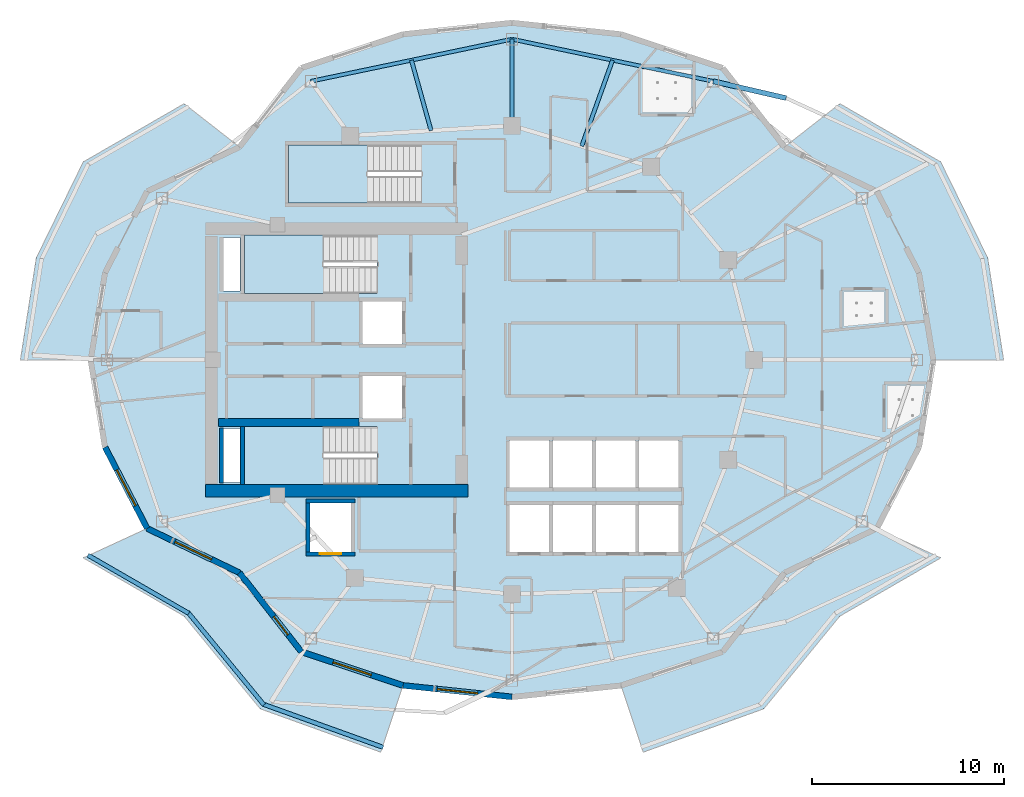
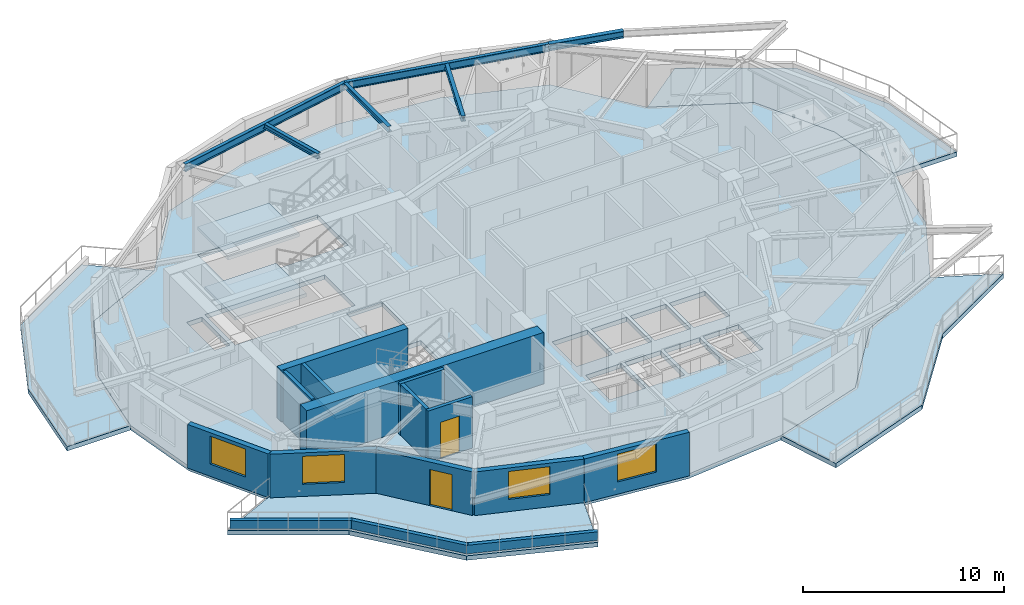
# One storey, part 2 of 10: 15 walls, 8 slabs, 6 beams, 4 windows, 2 doors, 6 openings, 3 elements without a shape of their own.
"""IFC4 building model written with IfcOpenShell, lengths in metres."""

from ifc_helpers import new_model, si_unit, direction, frame, frame_2d, origin, origin_2d, place, context, subcontext, project, spatial, polyline, rectangle, i_section, outline, extrude, material, layer, layer_set, material_profile, profile_set, type_object, element, fill, aggregate, save


model = new_model("IFC4")

# Units and contexts
model_context = context("Model", 3, precision=1e-05, world=origin(), true_north=direction((0.0, 1.0)))
body_context = subcontext(model_context, "Body", "Model", "MODEL_VIEW")
ifc_project = project(units=[si_unit("LENGTHUNIT", "METRE"), si_unit("AREAUNIT", "SQUARE_METRE"), si_unit("VOLUMEUNIT", "CUBIC_METRE"), si_unit("PLANEANGLEUNIT", "RADIAN"), si_unit("MASSUNIT", "GRAM", prefix="KILO")], contexts=[model_context])

# Site, building, storey
site_placement = place(None, origin())
site = spatial("IfcSite", under=ifc_project, at=site_placement, CompositionType="ELEMENT")
building_placement = place(site_placement, origin())
building = spatial("IfcBuilding", under=site, at=building_placement, Name="Kolvaren Gate Tower and Convention Centre", CompositionType="ELEMENT")
storey_placement = place(building_placement, frame((0.0, 0.0, 146.10009765625)))
storey = spatial("IfcBuildingStorey", under=building, at=storey_placement, Name="L37", CompositionType="ELEMENT", Elevation=146.10009765625)

# Beams
ifc_material_1 = material(Name="Structural steel ASTM A992 Grade 345 MPa", Category="steel")
ifc_material_profile_1 = material_profile(ifc_material_1, i_section(OverallWidth=0.260009765625, OverallDepth=0.419921875, WebThickness=0.013427734375, FlangeThickness=0.0224609375, at=origin_2d()), Name="W410X132")
ifc_profile_set_1 = profile_set([ifc_material_profile_1], Name="Structural steel ASTM A992 Grade 345 MPa")
beam_type_1 = type_object("IfcBeamType", Name="STR-BM-W410X132", PredefinedType="BEAM", material=ifc_profile_set_1)
beam_1_placement = place(storey_placement, frame((40.596435546875, 41.509521484375, 2.92041015625), z_axis=(0.974390140605, -0.224864078706, 0.0), x_axis=(0.224864078706, 0.974390140605, 0.0)))
element("IfcBeam", 1, at=beam_1_placement, inside=storey, type_object=beam_type_1, Name="Tower L38 Planted Balcony Outrigger Cantilever BC-1B", PredefinedType="BEAM", context=body_context, shape_type="SweptSolid", body=[
    extrude(i_section(OverallWidth=0.260009765625, OverallDepth=0.419921875, WebThickness=0.013427734375, FlangeThickness=0.0224609375, at=origin_2d()), origin(), (0.0, 0.0, 1.0), 3.89990234375),
])
ifc_material_profile_2 = material_profile(ifc_material_1, i_section(OverallWidth=0.205078125, OverallDepth=0.31005859375, WebThickness=0.009521484375, FlangeThickness=0.016357421875, at=origin_2d()), Name="W310X74")
ifc_profile_set_2 = profile_set([ifc_material_profile_2], Name="Structural steel ASTM A992 Grade 345 MPa")
beam_type_2 = type_object("IfcBeamType", Name="STR-JS-W310X74", PredefinedType="JOIST", material=ifc_profile_set_2)
beam_2_placement = place(storey_placement, frame((30.125, 39.199951171875, 2.974853515625), z_axis=(0.0, 1.0, 0.0), x_axis=(-1.0, 0.0, 0.0)))
element("IfcBeam", 2, at=beam_2_placement, inside=storey, type_object=beam_type_2, Name="Tower L37 Radial Floor Girder RB-04", PredefinedType="JOIST", context=body_context, shape_type="SweptSolid", body=[
    extrude(i_section(OverallWidth=0.205078125, OverallDepth=0.31005859375, WebThickness=0.009521484375, FlangeThickness=0.016357421875, at=origin_2d()), origin(), (0.0, 0.0, 1.0), 4.5),
])
beam_3_placement = place(storey_placement, frame((33.75341796875, 38.12744140625, 2.974853515625), z_axis=(0.33785426197, 0.941198436924, 0.0), x_axis=(-0.941198436924, 0.33785426197, 0.0)))
element("IfcBeam", 3, at=beam_3_placement, inside=storey, type_object=beam_type_2, Name="Tower L37 Secondary Composite Floor Joist J-03.1", PredefinedType="JOIST", context=body_context, shape_type="SweptSolid", body=[
    extrude(i_section(OverallWidth=0.205078125, OverallDepth=0.31005859375, WebThickness=0.009521484375, FlangeThickness=0.016357421875, at=origin_2d()), origin(), (0.0, 0.0, 1.0), 4.757080078125),
])
beam_4_placement = place(storey_placement, frame((25.91162109375, 38.938232421875, 2.974853515625), z_axis=(-0.26855678261, 0.963263855085, 0.0), x_axis=(-0.963263855085, -0.26855678261, 0.0)))
element("IfcBeam", 4, at=beam_4_placement, inside=storey, type_object=beam_type_2, Name="Tower L37 Secondary Composite Floor Joist J-04.1", PredefinedType="JOIST", context=body_context, shape_type="SweptSolid", body=[
    extrude(i_section(OverallWidth=0.205078125, OverallDepth=0.31005859375, WebThickness=0.009521484375, FlangeThickness=0.016357421875, at=origin_2d()), origin(), (0.0, 0.0, 1.0), 3.806396484375),
])
ifc_material_profile_3 = material_profile(ifc_material_1, i_section(OverallWidth=0.194091796875, OverallDepth=0.468994140625, WebThickness=0.0126953125, FlangeThickness=0.0205078125, at=origin_2d()), Name="W460X106")
ifc_profile_set_3 = profile_set([ifc_material_profile_3], Name="Structural steel ASTM A992 Grade 345 MPa")
beam_type_3 = type_object("IfcBeamType", Name="STR-SP-W460X106", PredefinedType="SPANDREL", material=ifc_profile_set_3)
beam_5_placement = place(storey_placement, frame((40.596435546875, 41.509521484375, 2.8955078125), z_axis=(-0.978814350133, 0.204749769168, 0.0), x_axis=(-0.204749769168, -0.978814350133, 0.0)))
element("IfcBeam", 5, at=beam_5_placement, inside=storey, type_object=beam_type_3, Name="Tower L37 Perimeter Spandrel Beam SP-03", PredefinedType="SPANDREL", context=body_context, shape_type="SweptSolid", body=[
    extrude(i_section(OverallWidth=0.194091796875, OverallDepth=0.468994140625, WebThickness=0.0126953125, FlangeThickness=0.0205078125, at=origin_2d()), origin(), (0.0, 0.0, 1.0), 10.697998046875),
])
beam_6_placement = place(storey_placement, frame((30.125, 43.699951171875, 2.8955078125), z_axis=(-0.978813393389, -0.204754342865, 0.0), x_axis=(0.204754342865, -0.978813393389, 0.0)))
element("IfcBeam", 6, at=beam_6_placement, inside=storey, type_object=beam_type_3, Name="Tower L37 Perimeter Spandrel Beam SP-04", PredefinedType="SPANDREL", context=body_context, shape_type="SweptSolid", body=[
    extrude(i_section(OverallWidth=0.194091796875, OverallDepth=0.468994140625, WebThickness=0.0126953125, FlangeThickness=0.0205078125, at=origin_2d()), origin(), (0.0, 0.0, 1.0), 10.69775390625),
])

# Slabs
ifc_material_2 = material(Name="Concrete C50/60", Category="concrete")
ifc_layer_1 = layer(ifc_material_2, 0.27001953125)
ifc_layer_set_1 = layer_set([ifc_layer_1], Name="Concrete C50/60")
slab_type_1 = type_object("IfcSlabType", Name="STR-SL-BALC-270", PredefinedType="FLOOR", material=ifc_layer_set_1)
slab_1_placement = place(storey_placement, frame((0.0, 0.0, -0.27001953125)))
element("IfcSlab", 7, at=slab_1_placement, inside=storey, type_object=slab_type_1, Name="Tower L37 Planted Balcony Terrace Slab 1 (East)", PredefinedType="FLOOR", context=body_context, shape_type="SweptSolid", body=[
    extrude(outline(polyline([(52.0625, 27.0), (51.31494140625, 31.542236328125), (49.123291015625, 35.77490234375), (44.3134765625, 38.0859375), (47.197509765625, 40.33935546875), (52.446044921875, 37.309814453125), (54.893798828125, 32.309326171875), (55.722412109375, 27.0), (52.0625, 27.0)])), origin(), (0.0, 0.0, 1.0), 0.27001953125),
])
slab_2_placement = place(storey_placement, frame((0.0, 0.0, -0.27001953125)))
element("IfcSlab", 8, at=slab_2_placement, inside=storey, type_object=slab_type_1, Name="Tower L37 Planted Balcony Terrace Slab 2 (West)", PredefinedType="FLOOR", context=body_context, shape_type="SweptSolid", body=[
    extrude(outline(polyline([(15.9365234375, 38.0859375), (11.126708984375, 35.77490234375), (8.93505859375, 31.542236328125), (8.1875, 27.0), (4.527587890625, 27.0), (5.356201171875, 32.309326171875), (7.803955078125, 37.309814453125), (13.052490234375, 40.33935546875), (15.9365234375, 38.0859375)])), origin(), (0.0, 0.0, 1.0), 0.27001953125),
])
slab_3_placement = place(storey_placement, frame((0.0, 0.0, -0.27001953125)))
element("IfcSlab", 9, at=slab_3_placement, inside=storey, type_object=slab_type_1, Name="Tower L37 Planted Balcony Terrace Slab 3 (South)", PredefinedType="FLOOR", context=body_context, shape_type="SweptSolid", body=[
    extrude(outline(polyline([(11.126708984375, 18.22509765625), (15.9365234375, 15.9140625), (19.15625, 11.80126953125), (24.447265625, 10.048095703125), (23.284912109375, 6.577392578125), (17.014404296875, 8.83349609375), (13.052490234375, 13.66064453125), (7.803955078125, 16.690185546875), (11.126708984375, 18.22509765625)])), origin(), (0.0, 0.0, 1.0), 0.27001953125),
])
slab_4_placement = place(storey_placement, frame((0.0, 0.0, -0.27001953125)))
element("IfcSlab", 10, at=slab_4_placement, inside=storey, type_object=slab_type_1, Name="Tower L37 Planted Balcony Terrace Slab 4 (South)", PredefinedType="FLOOR", context=body_context, shape_type="SweptSolid", body=[
    extrude(outline(polyline([(35.802734375, 10.048095703125), (41.09375, 11.80126953125), (44.3134765625, 15.9140625), (49.123291015625, 18.22509765625), (52.446044921875, 16.690185546875), (47.197509765625, 13.66064453125), (43.235595703125, 8.83349609375), (36.965087890625, 6.577392578125), (35.802734375, 10.048095703125)])), origin(), (0.0, 0.0, 1.0), 0.27001953125),
])
ifc_material_3 = material(Name="Concrete C40/50", Category="concrete")
ifc_layer_2 = layer(ifc_material_3, 0.27001953125)
ifc_layer_set_2 = layer_set([ifc_layer_2], Name="Concrete C40/50")
slab_type_2 = type_object("IfcSlabType", Name="STR-SL-FLR-270", PredefinedType="FLOOR", material=ifc_layer_set_2)
slab_5_placement = place(storey_placement, frame((0.0, 0.0, -0.27001953125)))
element("IfcSlab", 11, at=slab_5_placement, inside=storey, type_object=slab_type_2, Name="Tower L37 Structural Floor Slab", PredefinedType="FLOOR", context=body_context, shape_type="SweptSolid", body=[
    extrude(outline(polyline([(52.0625, 27.0), (51.31494140625, 31.542236328125), (49.123291015625, 35.77490234375), (44.3134765625, 38.0859375), (41.09375, 42.19873046875), (35.802734375, 43.951904296875), (30.125, 44.550048828125), (24.447265625, 43.951904296875), (19.15625, 42.19873046875), (15.9365234375, 38.0859375), (11.126708984375, 35.77490234375), (8.93505859375, 31.542236328125), (8.1875, 27.0), (8.93505859375, 22.457763671875), (11.126708984375, 18.22509765625), (15.9365234375, 15.9140625), (19.15625, 11.80126953125), (24.447265625, 10.048095703125), (30.125, 9.449951171875), (35.802734375, 10.048095703125), (41.09375, 11.80126953125), (44.3134765625, 15.9140625), (49.123291015625, 18.22509765625), (51.31494140625, 22.457763671875), (52.0625, 27.0)]), holes=[polyline([(36.75, 17.0), (36.75, 19.449951171875), (38.800048828125, 19.449951171875), (38.800048828125, 17.0), (36.75, 17.0)]), polyline([(36.75, 20.35009765625), (36.75, 22.800048828125), (38.800048828125, 22.800048828125), (38.800048828125, 20.35009765625), (36.75, 20.35009765625)]), polyline([(34.5, 17.0), (34.5, 19.449951171875), (36.550048828125, 19.449951171875), (36.550048828125, 17.0), (34.5, 17.0)]), polyline([(34.5, 20.35009765625), (34.5, 22.800048828125), (36.550048828125, 22.800048828125), (36.550048828125, 20.35009765625), (34.5, 20.35009765625)]), polyline([(32.25, 17.0), (32.25, 19.449951171875), (34.300048828125, 19.449951171875), (34.300048828125, 17.0), (32.25, 17.0)]), polyline([(32.25, 20.35009765625), (32.25, 22.800048828125), (34.300048828125, 22.800048828125), (34.300048828125, 20.35009765625), (32.25, 20.35009765625)]), polyline([(30.0, 17.0), (30.0, 19.449951171875), (32.050048828125, 19.449951171875), (32.050048828125, 17.0), (30.0, 17.0)]), polyline([(30.0, 20.35009765625), (30.0, 22.800048828125), (32.050048828125, 22.800048828125), (32.050048828125, 20.35009765625), (30.0, 20.35009765625)]), polyline([(25.39990234375, 38.199951171875), (25.39990234375, 35.159912109375), (18.5, 35.159912109375), (18.5, 38.199951171875), (25.39990234375, 38.199951171875)]), polyline([(22.35009765625, 23.9599609375), (22.35009765625, 26.159912109375), (24.39990234375, 26.159912109375), (24.39990234375, 23.9599609375), (22.35009765625, 23.9599609375)]), polyline([(22.35009765625, 27.840087890625), (22.35009765625, 30.0400390625), (24.39990234375, 30.0400390625), (24.39990234375, 27.840087890625), (22.35009765625, 27.840087890625)]), polyline([(23.10009765625, 23.5400390625), (23.10009765625, 20.5), (16.199951171875, 20.5), (16.199951171875, 23.5400390625), (23.10009765625, 23.5400390625)]), polyline([(23.10009765625, 33.5), (23.10009765625, 30.4599609375), (16.199951171875, 30.4599609375), (16.199951171875, 33.5), (23.10009765625, 33.5)]), polyline([(19.60009765625, 17.0), (19.60009765625, 19.550048828125), (21.75, 19.550048828125), (21.75, 17.0), (19.60009765625, 17.0)]), polyline([(15.080078125, 20.6298828125), (15.080078125, 23.419921875), (15.969970703125, 23.419921875), (15.969970703125, 20.6298828125), (15.080078125, 20.6298828125)]), polyline([(15.080078125, 30.580078125), (15.080078125, 33.3701171875), (15.969970703125, 33.3701171875), (15.969970703125, 30.580078125), (15.080078125, 30.580078125)])]), origin(), (0.0, 0.0, 1.0), 0.27001953125),
])

# Stair, slab
stair_type = type_object("IfcStairType", Name="STR-STAIR-CORE", PredefinedType="HALF_TURN_STAIR", material=ifc_material_2)
stair_1_placement = place(storey_placement, origin())
stair_1 = element("IfcStair", 12, at=stair_1_placement, inside=storey, type_object=stair_type, Name="L37 Tower North Exit Stair ST-T1", PredefinedType="HALF_TURN_STAIR")
ifc_layer_3 = layer(ifc_material_2, 0.199951171875)
ifc_layer_set_3 = layer_set([ifc_layer_3], Name="Concrete C50/60")
slab_type_3 = type_object("IfcSlabType", Name="STR-SL-LAND-200", PredefinedType="LANDING", material=ifc_layer_set_3)
slab_6_placement = place(storey_placement, frame((0.0, 0.0, 1.5)))
slab_6 = element("IfcSlab", 13, at=slab_6_placement, type_object=slab_type_3, Name="ST-T1 landing 1", PredefinedType="LANDING", context=body_context, shape_type="SweptSolid", body=[
    extrude(outline(polyline([(20.31005859375, 33.5), (16.199951171875, 33.5), (16.199951171875, 30.4599609375), (20.31005859375, 30.4599609375), (20.31005859375, 33.5)])), origin(), (0.0, 0.0, 1.0), 0.199951171875),
])
aggregate(stair_1, [slab_6])

stair_2_placement = place(storey_placement, origin())
stair_2 = element("IfcStair", 14, at=stair_2_placement, inside=storey, type_object=stair_type, Name="L37 Tower South Exit Stair ST-T2", PredefinedType="HALF_TURN_STAIR")
slab_7_placement = place(storey_placement, frame((0.0, 0.0, 1.5)))
slab_7 = element("IfcSlab", 15, at=slab_7_placement, type_object=slab_type_3, Name="ST-T2 landing 1", PredefinedType="LANDING", context=body_context, shape_type="SweptSolid", body=[
    extrude(outline(polyline([(20.31005859375, 23.5400390625), (16.199951171875, 23.5400390625), (16.199951171875, 20.5), (20.31005859375, 20.5), (20.31005859375, 23.5400390625)])), origin(), (0.0, 0.0, 1.0), 0.199951171875),
])
aggregate(stair_2, [slab_7])

stair_3_placement = place(storey_placement, origin())
stair_3 = element("IfcStair", 16, at=stair_3_placement, inside=storey, type_object=stair_type, Name="L37 Tower Mid-Zone Exit Stair ST-T3", PredefinedType="HALF_TURN_STAIR")
slab_8_placement = place(storey_placement, frame((0.0, 0.0, 1.5)))
slab_8 = element("IfcSlab", 17, at=slab_8_placement, type_object=slab_type_3, Name="ST-T3 landing 1", PredefinedType="LANDING", context=body_context, shape_type="SweptSolid", body=[
    extrude(outline(polyline([(22.610107421875, 38.199951171875), (18.5, 38.199951171875), (18.5, 35.159912109375), (22.610107421875, 35.159912109375), (22.610107421875, 38.199951171875)])), origin(), (0.0, 0.0, 1.0), 0.199951171875),
])
aggregate(stair_3, [slab_8])

# Walls
ifc_material_4 = material(Name="Piedmont Cream Honed Limestone Cladding", Category="masonry")
ifc_layer_4 = layer(ifc_material_4, 0.219970703125)
ifc_layer_set_4 = layer_set([ifc_layer_4], Name="Piedmont Cream Honed Limestone Cladding")
wall_type_1 = type_object("IfcWallType", Name="ARCH-WL-PLANTER-220", PredefinedType="PARAPET", material=ifc_layer_set_4)
wall_1_placement = place(storey_placement, frame((8.0439453125, 16.83447265625, 0.0), z_axis=(0.0, 0.0, 1.0), x_axis=(0.866058128659, -0.499943314571, 0.0)))
element("IfcWall", 18, at=wall_1_placement, inside=storey, type_object=wall_type_1, Name="Vertical-Forest Balcony Stone Planter Kerb PK-L37-3.1", PredefinedType="PARAPET", context=body_context, shape_type="SweptSolid", body=[
    extrude(rectangle(XDim=6.060302734375, YDim=0.219970703125, at=frame_2d((3.0302734375, 0.0))), origin(), (0.0, 0.0, 1.0), 0.52001953125),
])
wall_2_placement = place(storey_placement, frame((13.24609375, 13.86279296875, 0.0), z_axis=(0.0, 0.0, 1.0), x_axis=(0.634429234628, -0.77298094818, 0.0)))
element("IfcWall", 19, at=wall_2_placement, inside=storey, type_object=wall_type_1, Name="Vertical-Forest Balcony Stone Planter Kerb PK-L37-3.2", PredefinedType="PARAPET", context=body_context, shape_type="SweptSolid", body=[
    extrude(rectangle(XDim=6.244873046875, YDim=0.219970703125, at=frame_2d((3.12255859375, 0.0))), origin(), (0.0, 0.0, 1.0), 0.52001953125),
])
wall_3_placement = place(storey_placement, frame((17.142822265625, 9.082275390625, 0.0), z_axis=(0.0, 0.0, 1.0), x_axis=(0.940948576924, -0.338549517184, 0.0)))
element("IfcWall", 20, at=wall_3_placement, inside=storey, type_object=wall_type_1, Name="Vertical-Forest Balcony Stone Planter Kerb PK-L37-3.3", PredefinedType="PARAPET", context=body_context, shape_type="SweptSolid", body=[
    extrude(rectangle(XDim=6.6640625, YDim=0.219970703125, at=frame_2d((3.33203125, 0.0))), origin(), (0.0, 0.0, 1.0), 0.52001953125),
])
ifc_material_5 = material(Name="Autoclaved Aerated Masonry Blockwork Class 4 (4.0 MPa)", Category="masonry")
ifc_layer_5 = layer(ifc_material_5, 0.199951171875)
ifc_layer_set_5 = layer_set([ifc_layer_5], Name="Autoclaved Aerated Masonry Blockwork Class 4 (4.0 MPa)")
wall_type_2 = type_object("IfcWallType", Name="ARCH-WL-SHAFT-200", PredefinedType="SOLIDWALL", material=ifc_layer_set_5)
wall_4_placement = place(storey_placement, frame((19.39990234375, 19.64990234375, 0.0), z_axis=(0.0, 0.0, 1.0), x_axis=(1.0, 0.0, 0.0)))
element("IfcWall", 21, at=wall_4_placement, inside=storey, type_object=wall_type_2, Name="Elevator SV-01 L37 Fire Shaft Wall N", PredefinedType="SOLIDWALL", context=body_context, shape_type="SweptSolid", body=[
    extrude(rectangle(XDim=2.550048828125, YDim=0.199951171875, at=frame_2d((1.27490234375, 0.0))), origin(), (0.0, 0.0, 1.0), 3.1298828125),
])

# Wall, opening, door
wall_5_placement = place(storey_placement, frame((19.39990234375, 16.89990234375, 0.0), z_axis=(0.0, 0.0, 1.0), x_axis=(1.0, 0.0, 0.0)))
wall_5 = element("IfcWall", 22, at=wall_5_placement, inside=storey, type_object=wall_type_2, Name="Elevator SV-01 L37 Fire Shaft Wall S", PredefinedType="SOLIDWALL", context=body_context, shape_type="SweptSolid", body=[
    extrude(rectangle(XDim=2.550048828125, YDim=0.199951171875, at=frame_2d((1.27490234375, 0.0))), origin(), (0.0, 0.0, 1.0), 3.1298828125),
])
opening_1_placement = place(wall_5_placement, frame((0.72509765625, 0.0, 0.0)))
opening_1 = element("IfcOpeningElement", 23, at=opening_1_placement, cuts=wall_5, Name="Opening LD", PredefinedType="OPENING", context=body_context, shape_type="SweptSolid", body=[
    extrude(rectangle(XDim=1.10009765625, YDim=2.199951171875, at=frame_2d((0.550048828125, 1.10009765625))), frame((0.0, 0.10986328125, 0.0), z_axis=(0.0, -1.0, 0.0), x_axis=(1.0, 0.0, 0.0)), (0.0, 0.0, 1.0), 0.219970703125),
])
ifc_material_6 = material(Name="Brushed Stainless Steel Grade 316L", Category="steel")
door_type_1 = type_object("IfcDoorType", Name="ARCH-DR-LIFT-1100", OperationType="SLIDING_TO_LEFT", PredefinedType="DOOR", material=ifc_material_6)
door_1_placement = place(opening_1_placement, origin())
door_1 = element("IfcDoor", 24, at=door_1_placement, inside=storey, type_object=door_type_1, Name="Elevator SV-01 L37 Sliding Landing Door", OperationType="SLIDING_TO_LEFT", OverallHeight=2.199951171875, OverallWidth=1.10009765625, PredefinedType="DOOR", context=body_context, shape_type="SweptSolid", body=[
    extrude(rectangle(XDim=1.10009765625, YDim=2.199951171875, at=frame_2d((0.550048828125, 1.10009765625))), frame((0.0, 0.02490234375, 0.0), z_axis=(0.0, -1.0, 0.0), x_axis=(1.0, 0.0, 0.0)), (0.0, 0.0, 1.0), 0.050048828125),
])
fill(opening_1, door_1)

# Walls
wall_6_placement = place(storey_placement, frame((19.5, 17.010009765625, 0.0), z_axis=(0.0, 0.0, 1.0), x_axis=(0.0, 1.0, 0.0)))
element("IfcWall", 25, at=wall_6_placement, inside=storey, type_object=wall_type_2, Name="Elevator SV-01 L37 Fire Shaft Wall W", PredefinedType="SOLIDWALL", context=body_context, shape_type="SweptSolid", body=[
    extrude(rectangle(XDim=2.530029296875, YDim=0.199951171875, at=frame_2d((1.26513671875, 0.0))), origin(), (0.0, 0.0, 1.0), 3.1298828125),
])
wall_7_placement = place(storey_placement, frame((14.989990234375, 20.60009765625, 0.0), z_axis=(0.0, 0.0, 1.0), x_axis=(0.0, 1.0, 0.0)))
element("IfcWall", 26, at=wall_7_placement, inside=storey, type_object=wall_type_2, Name="Vertical Shaft MPR L37 EI-120 Enclosure Wall W", PredefinedType="SOLIDWALL", context=body_context, shape_type="SweptSolid", body=[
    extrude(rectangle(XDim=2.849853515625, YDim=0.199951171875, at=frame_2d((1.4248046875, 0.0))), origin(), (0.0, 0.0, 1.0), 3.1298828125),
])

# Wall, opening, window
ifc_layer_6 = layer(ifc_material_4, 0.300048828125)
ifc_layer_set_6 = layer_set([ifc_layer_6], Name="Piedmont Cream Honed Limestone Cladding")
wall_type_3 = type_object("IfcWallType", Name="ARCH-WL-STONE-300", PredefinedType="SOLIDWALL", material=ifc_layer_set_6)
wall_8_placement = place(storey_placement, frame((8.93505859375, 22.457763671875, 0.0), z_axis=(0.0, 0.0, 1.0), x_axis=(0.459810251451, -0.888017191647, 0.0)))
wall_8 = element("IfcWall", 27, at=wall_8_placement, inside=storey, type_object=wall_type_3, Name="Tower L37 Honed Stone Spandrel Wall EW-13", PredefinedType="SOLIDWALL", context=body_context, shape_type="SweptSolid", body=[
    extrude(rectangle(XDim=4.766357421875, YDim=0.300048828125, at=frame_2d((2.38330078125, 0.0))), origin(), (0.0, 0.0, 1.0), 2.65283203125),
])
opening_2_placement = place(wall_8_placement, frame((1.3330078125, 0.0, 0.739990234375)))
opening_2 = element("IfcOpeningElement", 28, at=opening_2_placement, cuts=wall_8, Name="Opening W-02", PredefinedType="OPENING", context=body_context, shape_type="SweptSolid", body=[
    extrude(rectangle(XDim=2.10009765625, YDim=1.699951171875, at=frame_2d((1.050048828125, 0.85009765625))), frame((0.0, 0.159912109375, 0.0), z_axis=(0.0, -1.0, 0.0), x_axis=(1.0, 0.0, 0.0)), (0.0, 0.0, 1.0), 0.320068359375),
])
ifc_material_7 = material(Name="Low-E Triple Insulated Glazing Unit 44 mm", Category="glass")
window_type = type_object("IfcWindowType", Name="ARCH-WN-HTL-2100", PartitioningType="SINGLE_PANEL", PredefinedType="WINDOW", material=ifc_material_7)
window_1_placement = place(opening_2_placement, origin())
window_1 = element("IfcWindow", 29, at=window_1_placement, inside=storey, type_object=window_type, Name="Tower L37 Punched Stone Facade Window W-13", OverallHeight=1.699951171875, OverallWidth=2.10009765625, PartitioningType="SINGLE_PANEL", PredefinedType="WINDOW", context=body_context, shape_type="SweptSolid", body=[
    extrude(rectangle(XDim=2.10009765625, YDim=1.699951171875, at=frame_2d((1.050048828125, 0.85009765625))), frame((0.0, 0.030029296875, 0.0), z_axis=(0.0, -1.0, 0.0), x_axis=(1.0, 0.0, 0.0)), (0.0, 0.0, 1.0), 0.06005859375),
])
fill(opening_2, window_1)

wall_9_placement = place(storey_placement, frame((11.126708984375, 18.22509765625, 0.0), z_axis=(0.0, 0.0, 1.0), x_axis=(0.901353070301, -0.433085029363, 0.0)))
wall_9 = element("IfcWall", 30, at=wall_9_placement, inside=storey, type_object=wall_type_3, Name="Tower L37 Honed Stone Spandrel Wall EW-14", PredefinedType="SOLIDWALL", context=body_context, shape_type="SweptSolid", body=[
    extrude(rectangle(XDim=5.336181640625, YDim=0.300048828125, at=frame_2d((2.66796875, 0.0))), origin(), (0.0, 0.0, 1.0), 2.65283203125),
])
opening_3_placement = place(wall_9_placement, frame((1.617919921875, 0.0, 0.739990234375)))
opening_3 = element("IfcOpeningElement", 31, at=opening_3_placement, cuts=wall_9, Name="Opening W-02", PredefinedType="OPENING", context=body_context, shape_type="SweptSolid", body=[
    extrude(rectangle(XDim=2.10009765625, YDim=1.699951171875, at=frame_2d((1.050048828125, 0.85009765625))), frame((0.0, 0.159912109375, 0.0), z_axis=(0.0, -1.0, 0.0), x_axis=(1.0, 0.0, 0.0)), (0.0, 0.0, 1.0), 0.320068359375),
])
window_2_placement = place(opening_3_placement, origin())
window_2 = element("IfcWindow", 32, at=window_2_placement, inside=storey, type_object=window_type, Name="Tower L37 Punched Stone Facade Window W-14", OverallHeight=1.699951171875, OverallWidth=2.10009765625, PartitioningType="SINGLE_PANEL", PredefinedType="WINDOW", context=body_context, shape_type="SweptSolid", body=[
    extrude(rectangle(XDim=2.10009765625, YDim=1.699951171875, at=frame_2d((1.050048828125, 0.85009765625))), frame((0.0, 0.030029296875, 0.0), z_axis=(0.0, -1.0, 0.0), x_axis=(1.0, 0.0, 0.0)), (0.0, 0.0, 1.0), 0.06005859375),
])
fill(opening_3, window_2)

# Wall, opening, door
wall_10_placement = place(storey_placement, frame((15.9365234375, 15.9140625, 0.0), z_axis=(0.0, 0.0, 1.0), x_axis=(0.616429245738, -0.787410302828, 0.0)))
wall_10 = element("IfcWall", 33, at=wall_10_placement, inside=storey, type_object=wall_type_3, Name="Tower L37 Honed Stone Spandrel Wall EW-15", PredefinedType="SOLIDWALL", context=body_context, shape_type="SweptSolid", body=[
    extrude(rectangle(XDim=5.22314453125, YDim=0.300048828125, at=frame_2d((2.611572265625, 0.0))), origin(), (0.0, 0.0, 1.0), 2.65283203125),
])
opening_4_placement = place(wall_10_placement, frame((2.89990234375, 0.0, 0.0)))
opening_4 = element("IfcOpeningElement", 34, at=opening_4_placement, cuts=wall_10, Name="Opening DB-02", PredefinedType="OPENING", context=body_context, shape_type="SweptSolid", body=[
    extrude(rectangle(XDim=1.199951171875, YDim=2.199951171875, at=frame_2d((0.60009765625, 1.10009765625))), frame((0.0, 0.159912109375, 0.0), z_axis=(0.0, -1.0, 0.0), x_axis=(1.0, 0.0, 0.0)), (0.0, 0.0, 1.0), 0.320068359375),
])
ifc_material_8 = material(Name="Anodized Architectural Aluminium Alloy 6063-T6", Category="aluminium")
door_type_2 = type_object("IfcDoorType", Name="ARCH-DR-BALC-1200", OperationType="NOTDEFINED", PredefinedType="DOOR", material=ifc_material_8)
door_2_placement = place(opening_4_placement, frame((1.199951171875, 0.0, 0.0), z_axis=(0.0, 0.0, 1.0), x_axis=(-1.0, 0.0, 0.0)))
door_2 = element("IfcDoor", 35, at=door_2_placement, inside=storey, type_object=door_type_2, Name="Planted Sky Terrace Access Door DB-L37-15", OperationType="SLIDING_TO_LEFT", OverallHeight=2.199951171875, OverallWidth=1.199951171875, PredefinedType="DOOR", context=body_context, shape_type="SweptSolid", body=[
    extrude(rectangle(XDim=1.199951171875, YDim=2.199951171875, at=frame_2d((0.60009765625, 1.10009765625))), frame((0.0, 0.02490234375, 0.0), z_axis=(0.0, -1.0, 0.0), x_axis=(1.0, 0.0, 0.0)), (0.0, 0.0, 1.0), 0.050048828125),
])
fill(opening_4, door_2)

# Wall, opening, window
wall_11_placement = place(storey_placement, frame((19.15625, 11.80126953125, 0.0), z_axis=(0.0, 0.0, 1.0), x_axis=(0.949246811547, -0.314532177636, 0.0)))
wall_11 = element("IfcWall", 36, at=wall_11_placement, inside=storey, type_object=wall_type_3, Name="Tower L37 Honed Stone Spandrel Wall EW-16", PredefinedType="SOLIDWALL", context=body_context, shape_type="SweptSolid", body=[
    extrude(rectangle(XDim=5.573974609375, YDim=0.300048828125, at=frame_2d((2.787109375, 0.0))), origin(), (0.0, 0.0, 1.0), 2.65283203125),
])
opening_5_placement = place(wall_11_placement, frame((1.737060546875, 0.0, 0.739990234375)))
opening_5 = element("IfcOpeningElement", 37, at=opening_5_placement, cuts=wall_11, Name="Opening W-02", PredefinedType="OPENING", context=body_context, shape_type="SweptSolid", body=[
    extrude(rectangle(XDim=2.10009765625, YDim=1.699951171875, at=frame_2d((1.050048828125, 0.85009765625))), frame((0.0, 0.159912109375, 0.0), z_axis=(0.0, -1.0, 0.0), x_axis=(1.0, 0.0, 0.0)), (0.0, 0.0, 1.0), 0.320068359375),
])
window_3_placement = place(opening_5_placement, origin())
window_3 = element("IfcWindow", 38, at=window_3_placement, inside=storey, type_object=window_type, Name="Tower L37 Punched Stone Facade Window W-16", OverallHeight=1.699951171875, OverallWidth=2.10009765625, PartitioningType="SINGLE_PANEL", PredefinedType="WINDOW", context=body_context, shape_type="SweptSolid", body=[
    extrude(rectangle(XDim=2.10009765625, YDim=1.699951171875, at=frame_2d((1.050048828125, 0.85009765625))), frame((0.0, 0.030029296875, 0.0), z_axis=(0.0, -1.0, 0.0), x_axis=(1.0, 0.0, 0.0)), (0.0, 0.0, 1.0), 0.06005859375),
])
fill(opening_5, window_3)

wall_12_placement = place(storey_placement, frame((24.447265625, 10.048095703125, 0.0), z_axis=(0.0, 0.0, 1.0), x_axis=(0.994496545245, -0.104769372887, 0.0)))
wall_12 = element("IfcWall", 39, at=wall_12_placement, inside=storey, type_object=wall_type_3, Name="Tower L37 Honed Stone Spandrel Wall EW-17", PredefinedType="SOLIDWALL", context=body_context, shape_type="SweptSolid", body=[
    extrude(rectangle(XDim=5.709228515625, YDim=0.300048828125, at=frame_2d((2.8544921875, 0.0))), origin(), (0.0, 0.0, 1.0), 2.65283203125),
])
opening_6_placement = place(wall_12_placement, frame((1.804931640625, 0.0, 0.739990234375)))
opening_6 = element("IfcOpeningElement", 40, at=opening_6_placement, cuts=wall_12, Name="Opening W-02", PredefinedType="OPENING", context=body_context, shape_type="SweptSolid", body=[
    extrude(rectangle(XDim=2.10009765625, YDim=1.699951171875, at=frame_2d((1.050048828125, 0.85009765625))), frame((0.0, 0.159912109375, 0.0), z_axis=(0.0, -1.0, 0.0), x_axis=(1.0, 0.0, 0.0)), (0.0, 0.0, 1.0), 0.320068359375),
])
window_4_placement = place(opening_6_placement, origin())
window_4 = element("IfcWindow", 41, at=window_4_placement, inside=storey, type_object=window_type, Name="Tower L37 Punched Stone Facade Window W-17", OverallHeight=1.699951171875, OverallWidth=2.10009765625, PartitioningType="SINGLE_PANEL", PredefinedType="WINDOW", context=body_context, shape_type="SweptSolid", body=[
    extrude(rectangle(XDim=2.10009765625, YDim=1.699951171875, at=frame_2d((1.050048828125, 0.85009765625))), frame((0.0, 0.030029296875, 0.0), z_axis=(0.0, -1.0, 0.0), x_axis=(1.0, 0.0, 0.0)), (0.0, 0.0, 1.0), 0.06005859375),
])
fill(opening_6, window_4)

# Walls
ifc_layer_7 = layer(ifc_material_2, 0.419921875)
ifc_layer_set_7 = layer_set([ifc_layer_7], Name="Concrete C50/60")
wall_type_4 = type_object("IfcWallType", Name="STR-WL-CONV-420", PredefinedType="SHEAR", material=ifc_layer_set_7)
wall_13_placement = place(storey_placement, frame((14.85009765625, 23.75, -0.27001953125), z_axis=(0.0, 0.0, 1.0), x_axis=(1.0, 0.0, 0.0)))
element("IfcWall", 42, at=wall_13_placement, inside=storey, type_object=wall_type_4, Name="Tower L37 Offset Core Shear Wall WS", PredefinedType="SHEAR", context=body_context, shape_type="SweptSolid", body=[
    extrude(rectangle(XDim=7.2998046875, YDim=0.419921875, at=frame_2d((3.64990234375, 0.0))), origin(), (0.0, 0.0, 1.0), 3.39990234375),
])
ifc_material_9 = material(Name="Concrete C60/75", Category="concrete")
ifc_layer_8 = layer(ifc_material_9, 0.64990234375)
ifc_layer_set_8 = layer_set([ifc_layer_8], Name="Concrete C60/75")
wall_type_5 = type_object("IfcWallType", Name="STR-WL-CORE-650", PredefinedType="SHEAR", material=ifc_layer_set_8)
wall_14_placement = place(storey_placement, frame((14.175048828125, 20.175048828125, -0.27001953125), z_axis=(0.0, 0.0, 1.0), x_axis=(1.0, 0.0, 0.0)))
element("IfcWall", 43, at=wall_14_placement, inside=storey, type_object=wall_type_5, Name="Tower L37 Offset Core Shear Wall S", PredefinedType="SHEAR", context=body_context, shape_type="SweptSolid", body=[
    extrude(rectangle(XDim=13.64990234375, YDim=0.64990234375, at=frame_2d((6.824951171875, 0.0))), origin(), (0.0, 0.0, 1.0), 3.39990234375),
])
ifc_layer_9 = layer(ifc_material_2, 0.199951171875)
ifc_layer_set_9 = layer_set([ifc_layer_9], Name="Concrete C50/60")
wall_type_6 = type_object("IfcWallType", Name="STR-WL-SHAFT-200", PredefinedType="SHEAR", material=ifc_layer_set_9)
wall_15_placement = place(storey_placement, frame((16.10009765625, 20.501953125, -0.27001953125), z_axis=(0.0, 0.0, 1.0), x_axis=(0.0, 1.0, 0.0)))
element("IfcWall", 44, at=wall_15_placement, inside=storey, type_object=wall_type_6, Name="Tower South Exit Stair ST-T2 L37 Structural Shear Enclosure Wall FAR", PredefinedType="SHEAR", context=body_context, shape_type="SweptSolid", body=[
    extrude(rectangle(XDim=3.0361328125, YDim=0.199951171875, at=frame_2d((1.51806640625, 0.0))), origin(), (0.0, 0.0, 1.0), 3.39990234375),
])

save(model, "model.ifc")
